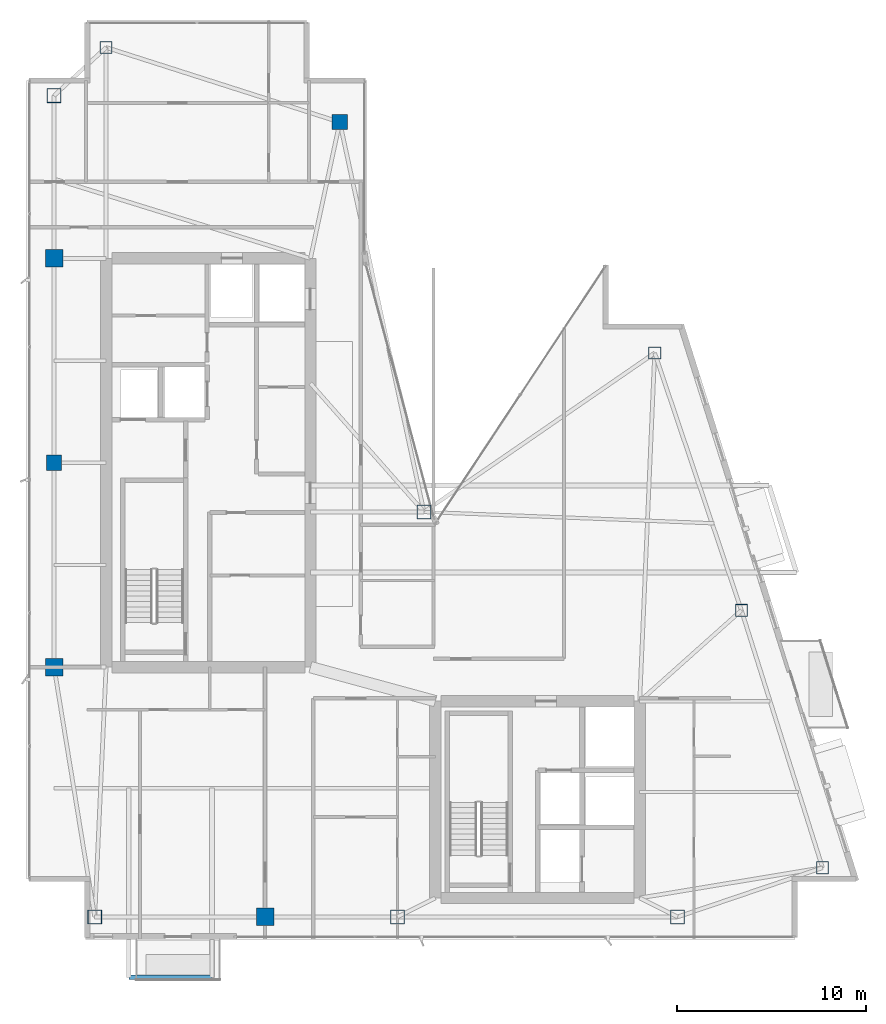
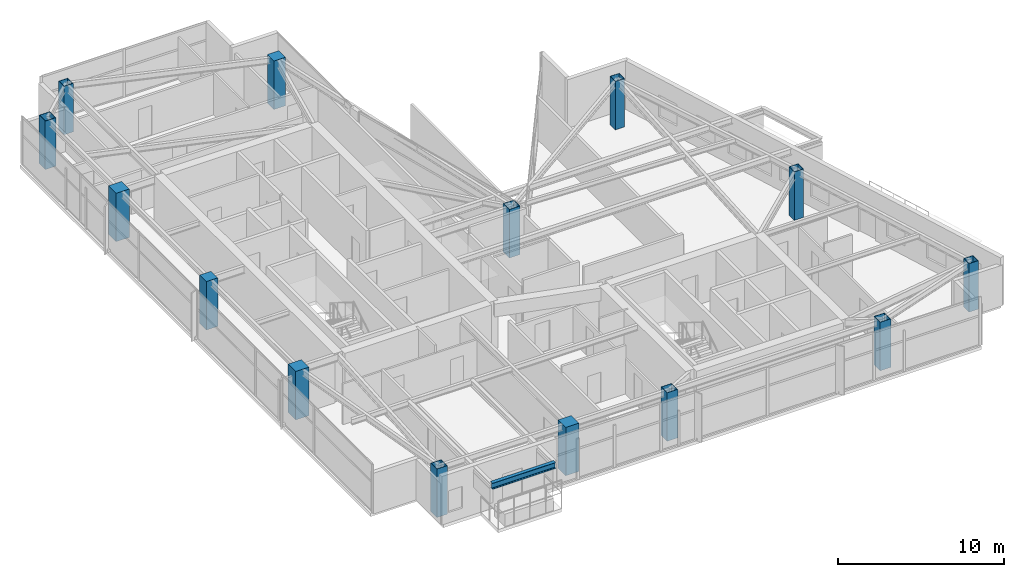
# One storey, part 1 of 28: 14 columns, 1 beam.
"""IFC4 building model written with IfcOpenShell, lengths in metres."""

from ifc_helpers import new_model, si_unit, direction, frame, origin, origin_2d, place, context, subcontext, project, spatial, rectangle, hollow_rectangle, i_section, extrude, material, material_profile, profile_set, type_object, element, save


model = new_model("IFC4")

# Units and contexts
model_context = context("Model", 3, precision=1e-05, world=origin(), true_north=direction((0.0, 1.0)))
body_context = subcontext(model_context, "Body", "Model", "MODEL_VIEW")
ifc_project = project(units=[si_unit("LENGTHUNIT", "METRE"), si_unit("AREAUNIT", "SQUARE_METRE"), si_unit("VOLUMEUNIT", "CUBIC_METRE"), si_unit("PLANEANGLEUNIT", "RADIAN"), si_unit("MASSUNIT", "GRAM", prefix="KILO")], contexts=[model_context])

# Site, building, storey
site_placement = place(None, origin())
site = spatial("IfcSite", under=ifc_project, at=site_placement, CompositionType="ELEMENT")
building_placement = place(site_placement, origin())
building = spatial("IfcBuilding", under=site, at=building_placement, Name="Calvorn Quay Hotel", CompositionType="ELEMENT")
storey_placement = place(building_placement, frame((0.0, 0.0, 274.89990234375)))
storey = spatial("IfcBuildingStorey", under=building, at=storey_placement, Name="L68", CompositionType="ELEMENT", Elevation=274.89990234375)

# Columns
ifc_material_1 = material(Name="Concrete C45", Category="concrete")
ifc_material_profile_1 = material_profile(ifc_material_1, rectangle(XDim=0.800048828125, YDim=0.800048828125, at=origin_2d()), Name="RC800x800")
ifc_profile_set_1 = profile_set([ifc_material_profile_1], Name="Concrete C45")
column_type_1 = type_object("IfcColumnType", Name="COL-RC-800", PredefinedType="COLUMN", material=ifc_profile_set_1)
for number, where, z_axis, x_axis, name in (
    (1, (1.449951171875, 27.60009765625, 0.0), (0.0, 0.0, 1.0), (1.0, 0.0, 0.0), "Column C-W3 (L68)"),
    (2, (16.550048828125, 45.60009765625, 0.0), (0.0, 0.0, 1.0), (1.0, 0.0, 0.0), "Column C-IC1 (L68)"),
):
    element("IfcColumn", number, at=place(storey_placement, frame(where, z_axis=z_axis, x_axis=x_axis)), inside=storey, type_object=column_type_1, Name=name, PredefinedType="COLUMN", context=body_context, shape_type="SweptSolid", body=[
        extrude(rectangle(XDim=0.800048828125, YDim=0.800048828125, at=origin_2d()), origin(), (0.0, 0.0, 1.0), 3.56005859375),
    ])
ifc_material_2 = material(Name="Concrete C45", Category="concrete")
ifc_material_profile_2 = material_profile(ifc_material_2, rectangle(XDim=0.919921875, YDim=0.919921875, at=origin_2d()), Name="RC920x920")
ifc_profile_set_2 = profile_set([ifc_material_profile_2], Name="Concrete C45")
column_type_2 = type_object("IfcColumnType", Name="COL-RC-920", PredefinedType="COLUMN", material=ifc_profile_set_2)
for number, where, z_axis, x_axis, name in (
    (3, (1.449951171875, 16.800048828125, 0.0), (0.0, 0.0, 1.0), (1.0, 0.0, 0.0), "Column C-W2 (L68)"),
    (4, (1.449951171875, 38.39990234375, 0.0), (0.0, 0.0, 1.0), (1.0, 0.0, 0.0), "Column C-W4 (L68)"),
    (5, (12.60009765625, 3.60009765625, 0.0), (0.0, 0.0, 1.0), (1.0, 0.0, 0.0), "Column C-S1 (L68)"),
):
    element("IfcColumn", number, at=place(storey_placement, frame(where, z_axis=z_axis, x_axis=x_axis)), inside=storey, type_object=column_type_2, Name=name, PredefinedType="COLUMN", context=body_context, shape_type="SweptSolid", body=[
        extrude(rectangle(XDim=0.919921875, YDim=0.919921875, at=origin_2d()), origin(), (0.0, 0.0, 1.0), 3.56005859375),
    ])
ifc_material_3 = material(Name="Steel Q390GJC", Category="steel")
ifc_material_profile_3 = material_profile(ifc_material_3, hollow_rectangle(XDim=0.75, YDim=0.75, WallThickness=0.031982421875, at=origin_2d()), Name="BOX750x750x32")
ifc_profile_set_3 = profile_set([ifc_material_profile_3], Name="Steel Q390GJC")
column_type_3 = type_object("IfcColumnType", Name="COL-STL-Z3", PredefinedType="COLUMN", material=ifc_profile_set_3)
for number, where, z_axis, x_axis, name in (
    (6, (3.60009765625, 3.60009765625, 0.0), (0.0, 0.0, 1.0), (1.0, 0.0, 0.0), "Column C-W1 (L68)"),
    (7, (1.449951171875, 47.0, 0.0), (0.0, 0.0, 1.0), (1.0, 0.0, 0.0), "Column C-W5 (L68)"),
    (8, (21.0, 25.0, 0.0), (0.0, 0.0, 1.0), (1.0, 0.0, 0.0), "Column C-IC2 (L68)"),
    (9, (19.60009765625, 3.60009765625, 0.0), (0.0, 0.0, 1.0), (1.0, 0.0, 0.0), "Column C-S2 (L68)"),
    (10, (34.39990234375, 3.60009765625, 0.0), (0.0, 0.0, 1.0), (1.0, 0.0, 0.0), "Column C-S3 (L68)"),
):
    element("IfcColumn", number, at=place(storey_placement, frame(where, z_axis=z_axis, x_axis=x_axis)), inside=storey, type_object=column_type_3, Name=name, PredefinedType="COLUMN", context=body_context, shape_type="SweptSolid", body=[
        extrude(hollow_rectangle(XDim=0.75, YDim=0.75, WallThickness=0.031982421875, at=origin_2d()), origin(), (0.0, 0.0, 1.0), 3.56005859375),
    ])
ifc_material_4 = material(Name="Steel Q355B", Category="steel")
ifc_material_profile_4 = material_profile(ifc_material_4, hollow_rectangle(XDim=0.64990234375, YDim=0.64990234375, WallThickness=0.028076171875, at=origin_2d()), Name="BOX650x650x28")
ifc_profile_set_4 = profile_set([ifc_material_profile_4], Name="Steel Q355B")
column_type_4 = type_object("IfcColumnType", Name="COL-STL-Z4", PredefinedType="COLUMN", material=ifc_profile_set_4)
for number, where, z_axis, x_axis, name in (
    (11, (4.199951171875, 49.550048828125, 0.0), (0.0, 0.0, 1.0), (1.0, 0.0, 0.0), "Column C-NW1 (L68)"),
    (12, (42.06103515625, 6.199951171875, 0.0), (0.0, 0.0, 1.0), (1.0, 0.0, 0.0), "Column C-ET1 (L68)"),
    (13, (37.77587890625, 19.800048828125, 0.0), (0.0, 0.0, 1.0), (1.0, 0.0, 0.0), "Column C-ET2 (L68)"),
    (14, (33.19091796875, 33.39990234375, 0.0), (0.0, 0.0, 1.0), (1.0, 0.0, 0.0), "Column C-ET3 (L68)"),
):
    element("IfcColumn", number, at=place(storey_placement, frame(where, z_axis=z_axis, x_axis=x_axis)), inside=storey, type_object=column_type_4, Name=name, PredefinedType="COLUMN", context=body_context, shape_type="SweptSolid", body=[
        extrude(hollow_rectangle(XDim=0.64990234375, YDim=0.64990234375, WallThickness=0.028076171875, at=origin_2d()), origin(), (0.0, 0.0, 1.0), 3.56005859375),
    ])

# Beam
ifc_material_5 = material(Name="Steel Q355B", Category="steel")
ifc_material_profile_5 = material_profile(ifc_material_5, i_section(OverallWidth=0.25, OverallDepth=0.449951171875, WebThickness=0.011962890625, FlangeThickness=0.01611328125, FilletRadius=0.01611328125, at=origin_2d()), Name="HN450x250x12x16")
ifc_profile_set_5 = profile_set([ifc_material_profile_5], Name="Steel Q355B")
beam_type = type_object("IfcBeamType", Name="BM-CANT-BALC", PredefinedType="BEAM", material=ifc_profile_set_5)
beam_placement = place(storey_placement, frame((5.39990234375, 0.409912109375, 3.315185546875), z_axis=(1.0, 0.0, 0.0), x_axis=(0.0, 1.0, 0.0)))
element("IfcBeam", 15, at=beam_placement, inside=storey, type_object=beam_type, Name="Beam BCBO-L69-2", PredefinedType="BEAM", context=body_context, shape_type="SweptSolid", body=[
    extrude(i_section(OverallWidth=0.25, OverallDepth=0.449951171875, WebThickness=0.011962890625, FlangeThickness=0.01611328125, FilletRadius=0.01611328125, at=origin_2d()), origin(), (0.0, 0.0, 1.0), 4.400146484375),
])

save(model, "model.ifc")
